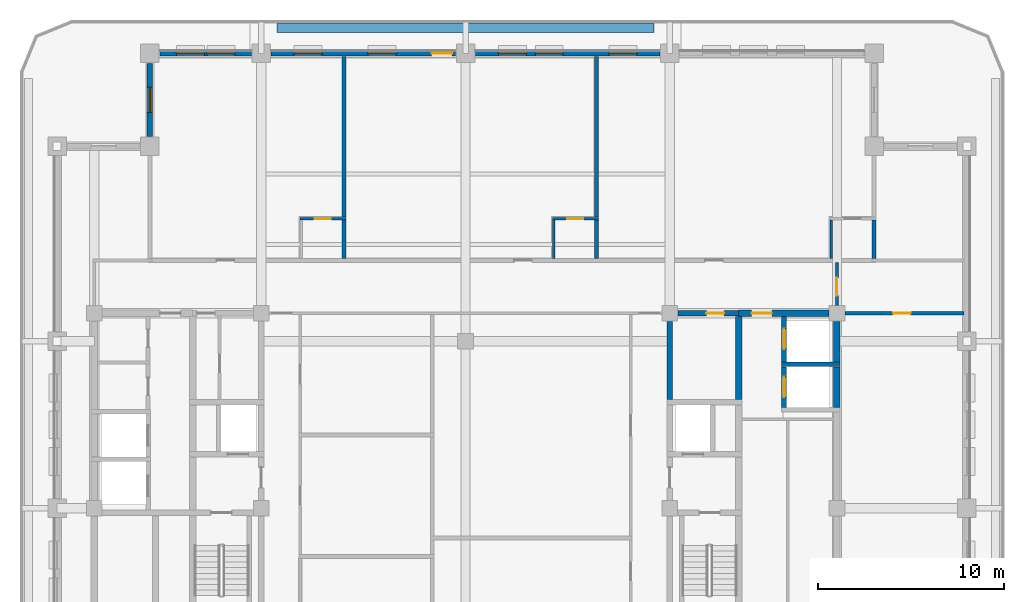
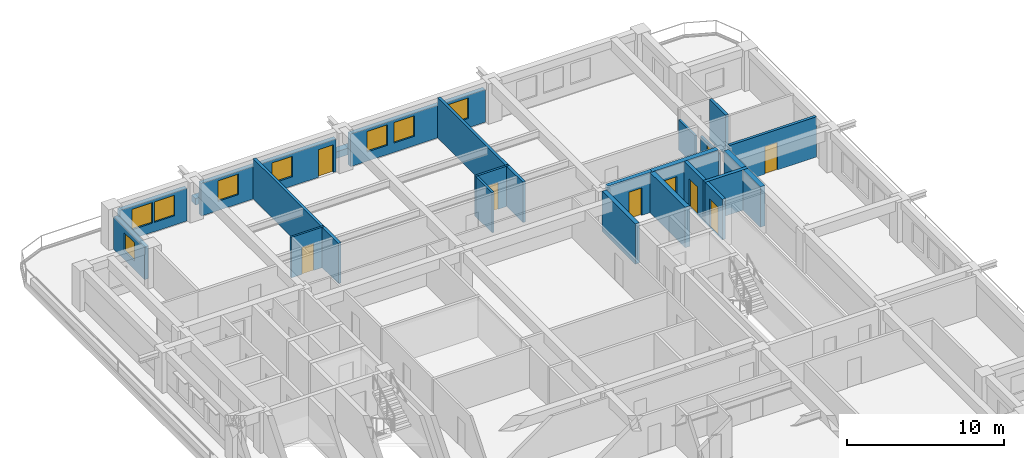
# One storey, part 6 of 13: 25 walls, 9 doors, 8 windows, 17 openings.
"""IFC4 building model written with IfcOpenShell, lengths in metres."""

from ifc_helpers import new_model, si_unit, direction, frame, frame_2d, origin, place, context, subcontext, project, spatial, rectangle, extrude, material, layer, layer_set, type_object, element, fill, save


model = new_model("IFC4")

# Units and contexts
model_context = context("Model", 3, precision=1e-05, world=origin(), true_north=direction((0.0, 1.0)))
body_context = subcontext(model_context, "Body", "Model", "MODEL_VIEW")
ifc_project = project(units=[si_unit("LENGTHUNIT", "METRE"), si_unit("AREAUNIT", "SQUARE_METRE"), si_unit("VOLUMEUNIT", "CUBIC_METRE"), si_unit("PLANEANGLEUNIT", "RADIAN"), si_unit("MASSUNIT", "GRAM", prefix="KILO")], contexts=[model_context])

# Site, building, storey
site_placement = place(None, origin())
site = spatial("IfcSite", under=ifc_project, at=site_placement, CompositionType="ELEMENT")
building_placement = place(site_placement, origin())
building = spatial("IfcBuilding", under=site, at=building_placement, Name="Zulmaris Gate Convention Tower", CompositionType="ELEMENT")
storey_placement = place(building_placement, frame((0.0, 0.0, 169.4599609375)))
storey = spatial("IfcBuildingStorey", under=building, at=storey_placement, Name="L43", CompositionType="ELEMENT", Elevation=169.4599609375)

# Wall
ifc_material_1 = material(Name="Concrete C50/60", Category="concrete")
ifc_layer_1 = layer(ifc_material_1, 0.25, Name="Concrete C50/60")
ifc_layer_set_1 = layer_set([ifc_layer_1], Name="Concrete C50/60")
wall_type_1 = type_object("IfcWallType", Name="CORE-250", PredefinedType="SOLIDWALL", material=ifc_layer_set_1)
wall_1_placement = place(storey_placement, frame((17.02490234375, 7.75, 0.0), z_axis=(0.0, 0.0, 1.0), x_axis=(1.0, 0.0, 0.0)))
element("IfcWall", 1, at=wall_1_placement, inside=storey, type_object=wall_type_1, Name="WL-L43-014", PredefinedType="SOLIDWALL", context=body_context, shape_type="SweptSolid", body=[
    extrude(rectangle(XDim=3.150146484375, YDim=0.25, at=frame_2d((1.5751953125, 0.0))), origin(), (0.0, 0.0, 1.0), 3.14990234375),
])

# Wall, opening, door
wall_2_placement = place(storey_placement, frame((17.14990234375, 5.427001953125, 0.0), z_axis=(0.0, 0.0, 1.0), x_axis=(0.0, 1.0, 0.0)))
wall_2 = element("IfcWall", 2, at=wall_2_placement, inside=storey, type_object=wall_type_1, Name="WL-L43-067", PredefinedType="SOLIDWALL", context=body_context, shape_type="SweptSolid", body=[
    extrude(rectangle(XDim=2.196044921875, YDim=0.25, at=frame_2d((1.09814453125, 0.0))), origin(), (0.0, 0.0, 1.0), 3.14990234375),
])
opening_1_placement = place(wall_2_placement, frame((0.548095703125, 0.0, 0.0)))
opening_1 = element("IfcOpeningElement", 3, at=opening_1_placement, cuts=wall_2, Name="Opening D-06", PredefinedType="OPENING", context=body_context, shape_type="SweptSolid", body=[
    extrude(rectangle(XDim=1.10009765625, YDim=2.199951171875, at=frame_2d((0.550048828125, 1.10009765625))), frame((0.0, 0.135009765625, 0.0), z_axis=(0.0, -1.0, 0.0), x_axis=(1.0, 0.0, 0.0)), (0.0, 0.0, 1.0), 0.27001953125),
])
ifc_material_2 = material(Name="Brushed Stainless Steel", Category="steel")
door_type_1 = type_object("IfcDoorType", Name="LD-1100", OperationType="NOTDEFINED", PredefinedType="DOOR", material=ifc_material_2)
door_1_placement = place(opening_1_placement, origin())
door_1 = element("IfcDoor", 4, at=door_1_placement, inside=storey, type_object=door_type_1, Name="L43 Lift Landing Door HP-01 16", OperationType="SLIDING_TO_RIGHT", OverallHeight=2.199951171875, OverallWidth=1.10009765625, PredefinedType="DOOR", context=body_context, shape_type="SweptSolid", body=[
    extrude(rectangle(XDim=1.10009765625, YDim=2.199951171875, at=frame_2d((0.550048828125, 1.10009765625))), frame((0.0, 0.02490234375, 0.0), z_axis=(0.0, -1.0, 0.0), x_axis=(1.0, 0.0, 0.0)), (0.0, 0.0, 1.0), 0.050048828125),
])
fill(opening_1, door_1)

wall_3_placement = place(storey_placement, frame((17.14990234375, 7.876953125, 0.0), z_axis=(0.0, 0.0, 1.0), x_axis=(0.0, 1.0, 0.0)))
wall_3 = element("IfcWall", 5, at=wall_3_placement, inside=storey, type_object=wall_type_1, Name="WL-L43-068", PredefinedType="SOLIDWALL", context=body_context, shape_type="SweptSolid", body=[
    extrude(rectangle(XDim=2.446044921875, YDim=0.25, at=frame_2d((1.22314453125, 0.0))), origin(), (0.0, 0.0, 1.0), 3.14990234375),
])
opening_2_placement = place(wall_3_placement, frame((0.697998046875, 0.0, 0.0)))
opening_2 = element("IfcOpeningElement", 6, at=opening_2_placement, cuts=wall_3, Name="Opening D-06", PredefinedType="OPENING", context=body_context, shape_type="SweptSolid", body=[
    extrude(rectangle(XDim=1.10009765625, YDim=2.199951171875, at=frame_2d((0.550048828125, 1.10009765625))), frame((0.0, 0.135009765625, 0.0), z_axis=(0.0, -1.0, 0.0), x_axis=(1.0, 0.0, 0.0)), (0.0, 0.0, 1.0), 0.27001953125),
])
door_2_placement = place(opening_2_placement, origin())
door_2 = element("IfcDoor", 7, at=door_2_placement, inside=storey, type_object=door_type_1, Name="L43 Lift Landing Door HP-02 17", OperationType="SLIDING_TO_RIGHT", OverallHeight=2.199951171875, OverallWidth=1.10009765625, PredefinedType="DOOR", context=body_context, shape_type="SweptSolid", body=[
    extrude(rectangle(XDim=1.10009765625, YDim=2.199951171875, at=frame_2d((0.550048828125, 1.10009765625))), frame((0.0, 0.02490234375, 0.0), z_axis=(0.0, -1.0, 0.0), x_axis=(1.0, 0.0, 0.0)), (0.0, 0.0, 1.0), 0.050048828125),
])
fill(opening_2, door_2)

ifc_layer_2 = layer(ifc_material_1, 0.300048828125, Name="Concrete C50/60")
ifc_layer_set_2 = layer_set([ifc_layer_2], Name="Concrete C50/60")
wall_type_2 = type_object("IfcWallType", Name="CORE-300", PredefinedType="SHEAR", material=ifc_layer_set_2)
wall_4_placement = place(storey_placement, frame((11.428955078125, 10.5, 0.0), z_axis=(0.0, 0.0, 1.0), x_axis=(1.0, 0.0, 0.0)))
wall_4 = element("IfcWall", 8, at=wall_4_placement, inside=storey, type_object=wall_type_2, Name="WL-L43-017", PredefinedType="SHEAR", context=body_context, shape_type="SweptSolid", body=[
    extrude(rectangle(XDim=3.27099609375, YDim=0.300048828125, at=frame_2d((1.635498046875, 0.0))), origin(), (0.0, 0.0, 1.0), 3.14990234375),
])
opening_3_placement = place(wall_4_placement, frame((1.5458984375, 0.0, 0.0)))
opening_3 = element("IfcOpeningElement", 9, at=opening_3_placement, cuts=wall_4, Name="Opening D-11", PredefinedType="OPENING", context=body_context, shape_type="SweptSolid", body=[
    extrude(rectangle(XDim=0.949951171875, YDim=2.14990234375, at=frame_2d((0.47509765625, 1.074951171875))), frame((0.0, 0.16015625, 0.0), z_axis=(0.0, -1.0, 0.0), x_axis=(1.0, 0.0, 0.0)), (0.0, 0.0, 1.0), 0.320068359375),
])
ifc_material_3 = material(Name="Fire-Rated Timber", Category="wood")
door_type_2 = type_object("IfcDoorType", Name="DR-950-FD", OperationType="NOTDEFINED", PredefinedType="DOOR", material=ifc_material_3)
door_3_placement = place(opening_3_placement, origin())
door_3 = element("IfcDoor", 10, at=door_3_placement, inside=storey, type_object=door_type_2, Name="L43 Core Tea Pantry Door 09", OperationType="SINGLE_SWING_RIGHT", OverallHeight=2.14990234375, OverallWidth=0.949951171875, PredefinedType="DOOR", context=body_context, shape_type="SweptSolid", body=[
    extrude(rectangle(XDim=0.949951171875, YDim=2.14990234375, at=frame_2d((0.47509765625, 1.074951171875))), frame((0.0, 0.02490234375, 0.0), z_axis=(0.0, -1.0, 0.0), x_axis=(1.0, 0.0, 0.0)), (0.0, 0.0, 1.0), 0.050048828125),
])
fill(opening_3, door_3)

# Wall
wall_5_placement = place(storey_placement, frame((11.0, 5.85205078125, 0.0), z_axis=(0.0, 0.0, 1.0), x_axis=(0.0, 1.0, 0.0)))
element("IfcWall", 11, at=wall_5_placement, inside=storey, type_object=wall_type_2, Name="WL-L43-060", PredefinedType="SHEAR", context=body_context, shape_type="SweptSolid", body=[
    extrude(rectangle(XDim=4.218994140625, YDim=0.300048828125, at=frame_2d((2.109375, 0.0))), origin(), (0.0, 0.0, 1.0), 3.14990234375),
])

# Wall, opening, door
ifc_material_4 = material(Name="Concrete C55/67", Category="concrete")
ifc_layer_3 = layer(ifc_material_4, 0.35009765625, Name="Concrete C55/67")
ifc_layer_set_3 = layer_set([ifc_layer_3], Name="Concrete C55/67")
wall_type_3 = type_object("IfcWallType", Name="CORE-350", PredefinedType="SHEAR", material=ifc_layer_set_3)
wall_6_placement = place(storey_placement, frame((14.699951171875, 10.5, 0.0), z_axis=(0.0, 0.0, 1.0), x_axis=(1.0, 0.0, 0.0)))
wall_6 = element("IfcWall", 12, at=wall_6_placement, inside=storey, type_object=wall_type_3, Name="WL-L43-018", PredefinedType="SHEAR", context=body_context, shape_type="SweptSolid", body=[
    extrude(rectangle(XDim=4.87109375, YDim=0.35009765625, at=frame_2d((2.435546875, 0.0))), origin(), (0.0, 0.0, 1.0), 3.14990234375),
])
opening_4_placement = place(wall_6_placement, frame((0.699951171875, 0.0, 0.0)))
opening_4 = element("IfcOpeningElement", 13, at=opening_4_placement, cuts=wall_6, Name="Opening D-08", PredefinedType="OPENING", context=body_context, shape_type="SweptSolid", body=[
    extrude(rectangle(XDim=1.10009765625, YDim=2.14990234375, at=frame_2d((0.550048828125, 1.074951171875))), frame((0.0, 0.18505859375, 0.0), z_axis=(0.0, -1.0, 0.0), x_axis=(1.0, 0.0, 0.0)), (0.0, 0.0, 1.0), 0.3701171875),
])
ifc_material_5 = material(Name="Fire-Rated Steel", Category="steel")
door_type_3 = type_object("IfcDoorType", Name="DR-1100-FD", OperationType="NOTDEFINED", PredefinedType="DOOR", material=ifc_material_5)
door_4_placement = place(opening_4_placement, origin())
door_4 = element("IfcDoor", 14, at=door_4_placement, inside=storey, type_object=door_type_3, Name="L43 High-Rise East Lift Lobby Door 18", OperationType="SINGLE_SWING_LEFT", OverallHeight=2.14990234375, OverallWidth=1.10009765625, PredefinedType="DOOR", context=body_context, shape_type="SweptSolid", body=[
    extrude(rectangle(XDim=1.10009765625, YDim=2.14990234375, at=frame_2d((0.550048828125, 1.074951171875))), frame((0.0, 0.02490234375, 0.0), z_axis=(0.0, -1.0, 0.0), x_axis=(1.0, 0.0, 0.0)), (0.0, 0.0, 1.0), 0.050048828125),
])
fill(opening_4, door_4)

# Walls
wall_7_placement = place(storey_placement, frame((14.699951171875, 5.85205078125, 0.0), z_axis=(0.0, 0.0, 1.0), x_axis=(0.0, 1.0, 0.0)))
element("IfcWall", 15, at=wall_7_placement, inside=storey, type_object=wall_type_3, Name="WL-L43-066", PredefinedType="SHEAR", context=body_context, shape_type="SweptSolid", body=[
    extrude(rectangle(XDim=4.470947265625, YDim=0.35009765625, at=frame_2d((2.2353515625, 0.0))), origin(), (0.0, 0.0, 1.0), 3.14990234375),
])
wall_8_placement = place(storey_placement, frame((20.0, 5.427001953125, 0.0), z_axis=(0.0, 0.0, 1.0), x_axis=(0.0, 1.0, 0.0)))
element("IfcWall", 16, at=wall_8_placement, inside=storey, type_object=wall_type_3, Name="WL-L43-070", PredefinedType="SHEAR", context=body_context, shape_type="SweptSolid", body=[
    extrude(rectangle(XDim=2.196044921875, YDim=0.35009765625, at=frame_2d((1.09814453125, 0.0))), origin(), (0.0, 0.0, 1.0), 3.14990234375),
])
wall_9_placement = place(storey_placement, frame((20.0, 7.876953125, 0.0), z_axis=(0.0, 0.0, 1.0), x_axis=(0.0, 1.0, 0.0)))
element("IfcWall", 17, at=wall_9_placement, inside=storey, type_object=wall_type_3, Name="WL-L43-071", PredefinedType="SHEAR", context=body_context, shape_type="SweptSolid", body=[
    extrude(rectangle(XDim=2.194091796875, YDim=0.35009765625, at=frame_2d((1.09716796875, 0.0))), origin(), (0.0, 0.0, 1.0), 3.14990234375),
])

# Wall, opening, door
ifc_material_6 = material(Name="Gypsum Metal Stud Partition")
ifc_layer_4 = layer(ifc_material_6, 0.14990234375, Name="Gypsum Metal Stud Partition")
ifc_layer_set_4 = layer_set([ifc_layer_4], Name="Gypsum Metal Stud Partition")
wall_type_4 = type_object("IfcWallType", Name="PART-150", PredefinedType="PARTITIONING", material=ifc_layer_set_4)
wall_10_placement = place(storey_placement, frame((-8.925048828125, 15.60009765625, 0.0), z_axis=(0.0, 0.0, 1.0), x_axis=(1.0, 0.0, 0.0)))
wall_10 = element("IfcWall", 18, at=wall_10_placement, inside=storey, type_object=wall_type_4, Name="WL-L43-037", PredefinedType="PARTITIONING", context=body_context, shape_type="SweptSolid", body=[
    extrude(rectangle(XDim=2.47509765625, YDim=0.14990234375, at=frame_2d((1.237548828125, 0.0))), origin(), (0.0, 0.0, 1.0), 3.14990234375),
])
opening_5_placement = place(wall_10_placement, frame((0.800048828125, 0.0, 0.0)))
opening_5 = element("IfcOpeningElement", 19, at=opening_5_placement, cuts=wall_10, Name="Opening D-17", PredefinedType="OPENING", context=body_context, shape_type="SweptSolid", body=[
    extrude(rectangle(XDim=0.85009765625, YDim=2.10009765625, at=frame_2d((0.425048828125, 1.050048828125))), frame((0.0, 0.0849609375, 0.0), z_axis=(0.0, -1.0, 0.0), x_axis=(1.0, 0.0, 0.0)), (0.0, 0.0, 1.0), 0.169921875),
])
ifc_material_7 = material(Name="Moisture-Resistant Hardwood Timber", Category="wood")
door_type_4 = type_object("IfcDoorType", Name="DR-850", OperationType="NOTDEFINED", PredefinedType="DOOR", material=ifc_material_7)
door_5_placement = place(opening_5_placement, origin())
door_5 = element("IfcDoor", 20, at=door_5_placement, inside=storey, type_object=door_type_4, Name="L43 En-Suite Door 26", OperationType="SINGLE_SWING_LEFT", OverallHeight=2.10009765625, OverallWidth=0.85009765625, PredefinedType="DOOR", context=body_context, shape_type="SweptSolid", body=[
    extrude(rectangle(XDim=0.85009765625, YDim=2.10009765625, at=frame_2d((0.425048828125, 1.050048828125))), frame((0.0, 0.02490234375, 0.0), z_axis=(0.0, -1.0, 0.0), x_axis=(1.0, 0.0, 0.0)), (0.0, 0.0, 1.0), 0.050048828125),
])
fill(opening_5, door_5)

wall_11_placement = place(storey_placement, frame((4.675048828125, 15.60009765625, 0.0), z_axis=(0.0, 0.0, 1.0), x_axis=(1.0, 0.0, 0.0)))
wall_11 = element("IfcWall", 21, at=wall_11_placement, inside=storey, type_object=wall_type_4, Name="WL-L43-038", PredefinedType="PARTITIONING", context=body_context, shape_type="SweptSolid", body=[
    extrude(rectangle(XDim=2.474853515625, YDim=0.14990234375, at=frame_2d((1.2373046875, 0.0))), origin(), (0.0, 0.0, 1.0), 3.14990234375),
])
opening_6_placement = place(wall_11_placement, frame((0.800048828125, 0.0, 0.0)))
opening_6 = element("IfcOpeningElement", 22, at=opening_6_placement, cuts=wall_11, Name="Opening D-17", PredefinedType="OPENING", context=body_context, shape_type="SweptSolid", body=[
    extrude(rectangle(XDim=0.85009765625, YDim=2.10009765625, at=frame_2d((0.425048828125, 1.050048828125))), frame((0.0, 0.0849609375, 0.0), z_axis=(0.0, -1.0, 0.0), x_axis=(1.0, 0.0, 0.0)), (0.0, 0.0, 1.0), 0.169921875),
])
door_6_placement = place(opening_6_placement, origin())
door_6 = element("IfcDoor", 23, at=door_6_placement, inside=storey, type_object=door_type_4, Name="L43 En-Suite Door 28", OperationType="SINGLE_SWING_LEFT", OverallHeight=2.10009765625, OverallWidth=0.85009765625, PredefinedType="DOOR", context=body_context, shape_type="SweptSolid", body=[
    extrude(rectangle(XDim=0.85009765625, YDim=2.10009765625, at=frame_2d((0.425048828125, 1.050048828125))), frame((0.0, 0.02490234375, 0.0), z_axis=(0.0, -1.0, 0.0), x_axis=(1.0, 0.0, 0.0)), (0.0, 0.0, 1.0), 0.050048828125),
])
fill(opening_6, door_6)

# Walls
wall_12_placement = place(storey_placement, frame((4.75, 13.452880859375, 0.0), z_axis=(0.0, 0.0, 1.0), x_axis=(0.0, 1.0, 0.0)))
element("IfcWall", 24, at=wall_12_placement, inside=storey, type_object=wall_type_4, Name="WL-L43-097", PredefinedType="PARTITIONING", context=body_context, shape_type="SweptSolid", body=[
    extrude(rectangle(XDim=2.069091796875, YDim=0.14990234375, at=frame_2d((1.03466796875, 0.0))), origin(), (0.0, 0.0, 1.0), 3.14990234375),
])
wall_13_placement = place(storey_placement, frame((19.699951171875, 13.452880859375, 0.0), z_axis=(0.0, 0.0, 1.0), x_axis=(0.0, 1.0, 0.0)))
element("IfcWall", 25, at=wall_13_placement, inside=storey, type_object=wall_type_4, Name="WL-L43-107", PredefinedType="PARTITIONING", context=body_context, shape_type="SweptSolid", body=[
    extrude(rectangle(XDim=2.069091796875, YDim=0.14990234375, at=frame_2d((1.03466796875, 0.0))), origin(), (0.0, 0.0, 1.0), 2.342041015625),
])

# Wall, opening, door
wall_14_placement = place(storey_placement, frame((20.0, 10.930908203125, 0.0), z_axis=(0.0, 0.0, 1.0), x_axis=(0.0, 1.0, 0.0)))
wall_14 = element("IfcWall", 26, at=wall_14_placement, inside=storey, type_object=wall_type_4, Name="WL-L43-109", PredefinedType="PARTITIONING", context=body_context, shape_type="SweptSolid", body=[
    extrude(rectangle(XDim=2.316162109375, YDim=0.14990234375, at=frame_2d((1.158203125, 0.0))), origin(), (0.0, 0.0, 1.0), 2.342041015625),
])
opening_7_placement = place(wall_14_placement, frame((0.52392578125, 0.0, 0.0)))
opening_7 = element("IfcOpeningElement", 27, at=opening_7_placement, cuts=wall_14, Name="Opening D-11", PredefinedType="OPENING", context=body_context, shape_type="SweptSolid", body=[
    extrude(rectangle(XDim=0.949951171875, YDim=2.14990234375, at=frame_2d((0.47509765625, 1.074951171875))), frame((0.0, 0.0849609375, 0.0), z_axis=(0.0, -1.0, 0.0), x_axis=(1.0, 0.0, 0.0)), (0.0, 0.0, 1.0), 0.169921875),
])
door_7_placement = place(opening_7_placement, origin())
door_7 = element("IfcDoor", 28, at=door_7_placement, inside=storey, type_object=door_type_2, Name="L43 East Spur Door 45", OperationType="SINGLE_SWING_RIGHT", OverallHeight=2.14990234375, OverallWidth=0.949951171875, PredefinedType="DOOR", context=body_context, shape_type="SweptSolid", body=[
    extrude(rectangle(XDim=0.949951171875, YDim=2.14990234375, at=frame_2d((0.47509765625, 1.074951171875))), frame((0.0, 0.02490234375, 0.0), z_axis=(0.0, -1.0, 0.0), x_axis=(1.0, 0.0, 0.0)), (0.0, 0.0, 1.0), 0.050048828125),
])
fill(opening_7, door_7)

ifc_material_8 = material(Name="Autoclaved Aerated Concrete Block and Plasterboard", Category="concrete")
ifc_layer_5 = layer(ifc_material_8, 0.199951171875, Name="Autoclaved Aerated Concrete Block and Plasterboard")
ifc_layer_set_5 = layer_set([ifc_layer_5], Name="Autoclaved Aerated Concrete Block and Plasterboard")
wall_type_5 = type_object("IfcWallType", Name="PART-200", PredefinedType="PARTITIONING", material=ifc_layer_set_5)
wall_15_placement = place(storey_placement, frame((20.430908203125, 10.5, 0.0), z_axis=(0.0, 0.0, 1.0), x_axis=(1.0, 0.0, 0.0)))
wall_15 = element("IfcWall", 29, at=wall_15_placement, inside=storey, type_object=wall_type_5, Name="WL-L43-033", PredefinedType="PARTITIONING", context=body_context, shape_type="SweptSolid", body=[
    extrude(rectangle(XDim=6.404052734375, YDim=0.199951171875, at=frame_2d((3.2021484375, 0.0))), origin(), (0.0, 0.0, 1.0), 3.14990234375),
])
opening_8_placement = place(wall_15_placement, frame((2.593994140625, 0.0, 0.0)))
opening_8 = element("IfcOpeningElement", 30, at=opening_8_placement, cuts=wall_15, Name="Opening D-11", PredefinedType="OPENING", context=body_context, shape_type="SweptSolid", body=[
    extrude(rectangle(XDim=0.949951171875, YDim=2.14990234375, at=frame_2d((0.47509765625, 1.074951171875))), frame((0.0, 0.10986328125, 0.0), z_axis=(0.0, -1.0, 0.0), x_axis=(1.0, 0.0, 0.0)), (0.0, 0.0, 1.0), 0.219970703125),
])
door_8_placement = place(opening_8_placement, origin())
door_8 = element("IfcDoor", 31, at=door_8_placement, inside=storey, type_object=door_type_2, Name="L43 East Lounge Door 46", OperationType="SINGLE_SWING_LEFT", OverallHeight=2.14990234375, OverallWidth=0.949951171875, PredefinedType="DOOR", context=body_context, shape_type="SweptSolid", body=[
    extrude(rectangle(XDim=0.949951171875, YDim=2.14990234375, at=frame_2d((0.47509765625, 1.074951171875))), frame((0.0, 0.02490234375, 0.0), z_axis=(0.0, -1.0, 0.0), x_axis=(1.0, 0.0, 0.0)), (0.0, 0.0, 1.0), 0.050048828125),
])
fill(opening_8, door_8)

# Walls
wall_16_placement = place(storey_placement, frame((-6.550048828125, 13.452880859375, 0.0), z_axis=(0.0, 0.0, 1.0), x_axis=(0.0, 1.0, 0.0)))
element("IfcWall", 32, at=wall_16_placement, inside=storey, type_object=wall_type_5, Name="WL-L43-087", PredefinedType="PARTITIONING", context=body_context, shape_type="SweptSolid", body=[
    extrude(rectangle(XDim=2.069091796875, YDim=0.199951171875, at=frame_2d((1.03466796875, 0.0))), origin(), (0.0, 0.0, 1.0), 3.14990234375),
])
wall_17_placement = place(storey_placement, frame((-6.550048828125, 15.677978515625, 0.0), z_axis=(0.0, 0.0, 1.0), x_axis=(0.0, 1.0, 0.0)))
element("IfcWall", 33, at=wall_17_placement, inside=storey, type_object=wall_type_5, Name="WL-L43-088", PredefinedType="PARTITIONING", context=body_context, shape_type="SweptSolid", body=[
    extrude(rectangle(XDim=8.656982421875, YDim=0.199951171875, at=frame_2d((4.32861328125, 0.0))), origin(), (0.0, 0.0, 1.0), 3.14990234375),
])
wall_18_placement = place(storey_placement, frame((7.050048828125, 13.452880859375, 0.0), z_axis=(0.0, 0.0, 1.0), x_axis=(0.0, 1.0, 0.0)))
element("IfcWall", 34, at=wall_18_placement, inside=storey, type_object=wall_type_5, Name="WL-L43-100", PredefinedType="PARTITIONING", context=body_context, shape_type="SweptSolid", body=[
    extrude(rectangle(XDim=2.069091796875, YDim=0.199951171875, at=frame_2d((1.03466796875, 0.0))), origin(), (0.0, 0.0, 1.0), 3.14990234375),
])
wall_19_placement = place(storey_placement, frame((7.050048828125, 15.677978515625, 0.0), z_axis=(0.0, 0.0, 1.0), x_axis=(0.0, 1.0, 0.0)))
element("IfcWall", 35, at=wall_19_placement, inside=storey, type_object=wall_type_5, Name="WL-L43-101", PredefinedType="PARTITIONING", context=body_context, shape_type="SweptSolid", body=[
    extrude(rectangle(XDim=8.656982421875, YDim=0.199951171875, at=frame_2d((4.32861328125, 0.0))), origin(), (0.0, 0.0, 1.0), 3.14990234375),
])
wall_20_placement = place(storey_placement, frame((22.0, 13.452880859375, 0.0), z_axis=(0.0, 0.0, 1.0), x_axis=(0.0, 1.0, 0.0)))
element("IfcWall", 36, at=wall_20_placement, inside=storey, type_object=wall_type_5, Name="WL-L43-111", PredefinedType="PARTITIONING", context=body_context, shape_type="SweptSolid", body=[
    extrude(rectangle(XDim=2.069091796875, YDim=0.199951171875, at=frame_2d((1.03466796875, 0.0))), origin(), (0.0, 0.0, 1.0), 3.14990234375),
])
ifc_material_9 = material(Name="Botanical Green Glazed Precast Concrete C40/50", Category="concrete")
ifc_layer_6 = layer(ifc_material_9, 0.419921875, Name="Botanical Green Glazed Precast Concrete C40/50")
ifc_layer_set_6 = layer_set([ifc_layer_6], Name="Botanical Green Glazed Precast Concrete C40/50")
wall_type_6 = type_object("IfcWallType", Name="PLANTER-CURB-200", PredefinedType="PARAPET", material=ifc_layer_set_6)
wall_21_placement = place(storey_placement, frame((-10.14990234375, 25.8798828125, -0.0400390625), z_axis=(0.0, 0.0, 1.0), x_axis=(1.0, 0.0, 0.0)))
element("IfcWall", 37, at=wall_21_placement, inside=storey, type_object=wall_type_6, Name="L43 Full-Length Balcony Tree Planter Trough", PredefinedType="PARAPET", context=body_context, shape_type="SweptSolid", body=[
    extrude(rectangle(XDim=20.2998046875, YDim=0.47998046875, at=frame_2d((10.14990234375, 0.0))), origin(), (0.0, 0.0, 1.0), 0.52001953125),
])

# Wall, opening, window
ifc_material_10 = material(Name="Precast concrete C40/50", Category="concrete")
ifc_layer_7 = layer(ifc_material_10, 0.300048828125, Name="Precast concrete C40/50")
ifc_layer_set_7 = layer_set([ifc_layer_7], Name="Precast concrete C40/50")
wall_type_7 = type_object("IfcWallType", Name="PRECAST-PIER-300", PredefinedType="STANDARD", material=ifc_layer_set_7)
wall_22_placement = place(storey_placement, frame((-17.0, 23.969970703125, 0.0), z_axis=(0.0, 0.0, 1.0), x_axis=(0.0, -1.0, 0.0)))
wall_22 = element("IfcWall", 38, at=wall_22_placement, inside=storey, type_object=wall_type_7, Name="EW-L43-NOTCH-NW1_0", PredefinedType="STANDARD", context=body_context, shape_type="SweptSolid", body=[
    extrude(rectangle(XDim=3.93994140625, YDim=0.300048828125, at=frame_2d((1.969970703125, 0.0))), origin(), (0.0, 0.0, 1.0), 2.5419921875),
])
opening_9_placement = place(wall_22_placement, frame((1.294921875, 0.0, 0.679931640625)))
opening_9 = element("IfcOpeningElement", 39, at=opening_9_placement, cuts=wall_22, Name="Opening W-10", PredefinedType="OPENING", context=body_context, shape_type="SweptSolid", body=[
    extrude(rectangle(XDim=1.35009765625, YDim=1.419921875, at=frame_2d((0.675048828125, 0.7099609375))), frame((0.0, 0.16015625, 0.0), z_axis=(0.0, -1.0, 0.0), x_axis=(1.0, 0.0, 0.0)), (0.0, 0.0, 1.0), 0.320068359375),
])
ifc_material_11 = material(Name="Low-E Laminated Double Glazing in Aluminium Frame", Category="aluminium")
window_type_1 = type_object("IfcWindowType", Name="WIN-1350x2000", PartitioningType="SINGLE_PANEL", PredefinedType="WINDOW", material=ifc_material_11)
window_1_placement = place(opening_9_placement, origin())
window_1 = element("IfcWindow", 40, at=window_1_placement, inside=storey, type_object=window_type_1, Name="WN-EW-L43-NOTCH-NW1_0", OverallHeight=1.419921875, OverallWidth=1.35009765625, PartitioningType="SINGLE_PANEL", PredefinedType="WINDOW", context=body_context, shape_type="SweptSolid", body=[
    extrude(rectangle(XDim=1.35009765625, YDim=1.419921875, at=frame_2d((0.675048828125, 0.7099609375))), frame((0.0, 0.030029296875, 0.0), z_axis=(0.0, -1.0, 0.0), x_axis=(1.0, 0.0, 0.0)), (0.0, 0.0, 1.0), 0.06005859375),
])
fill(opening_9, window_1)

# Wall, openings, windows
wall_23_placement = place(storey_placement, frame((-11.530029296875, 24.5, 0.0), z_axis=(0.0, 0.0, 1.0), x_axis=(-1.0, 0.0, 0.0)))
wall_23 = element("IfcWall", 41, at=wall_23_placement, inside=storey, type_object=wall_type_7, Name="EW-L43-N-0_0", PredefinedType="STANDARD", context=body_context, shape_type="SweptSolid", body=[
    extrude(rectangle(XDim=4.93994140625, YDim=0.300048828125, at=frame_2d((2.469970703125, 0.0))), origin(), (0.0, 0.0, 1.0), 2.5419921875),
])
opening_10_placement = place(wall_23_placement, frame((0.89697265625, 0.0, 0.719970703125)))
opening_10 = element("IfcOpeningElement", 42, at=opening_10_placement, cuts=wall_23, Name="Opening W-03", PredefinedType="OPENING", context=body_context, shape_type="SweptSolid", body=[
    extrude(rectangle(XDim=1.5, YDim=1.60009765625, at=frame_2d((0.75, 0.800048828125))), frame((0.0, 0.16015625, 0.0), z_axis=(0.0, -1.0, 0.0), x_axis=(1.0, 0.0, 0.0)), (0.0, 0.0, 1.0), 0.320068359375),
])
opening_11_placement = place(wall_23_placement, frame((2.54296875, 0.0, 0.719970703125)))
opening_11 = element("IfcOpeningElement", 43, at=opening_11_placement, cuts=wall_23, Name="Opening W-03", PredefinedType="OPENING", context=body_context, shape_type="SweptSolid", body=[
    extrude(rectangle(XDim=1.5, YDim=1.60009765625, at=frame_2d((0.75, 0.800048828125))), frame((0.0, 0.16015625, 0.0), z_axis=(0.0, -1.0, 0.0), x_axis=(1.0, 0.0, 0.0)), (0.0, 0.0, 1.0), 0.320068359375),
])
window_type_2 = type_object("IfcWindowType", Name="WIN-1500x2100", PartitioningType="SINGLE_PANEL", PredefinedType="WINDOW", material=ifc_material_11)
window_2_placement = place(opening_10_placement, origin())
window_2 = element("IfcWindow", 44, at=window_2_placement, inside=storey, type_object=window_type_2, Name="WN-EW-L43-N-0_0-1", OverallHeight=1.60009765625, OverallWidth=1.5, PartitioningType="SINGLE_PANEL", PredefinedType="WINDOW", context=body_context, shape_type="SweptSolid", body=[
    extrude(rectangle(XDim=1.5, YDim=1.60009765625, at=frame_2d((0.75, 0.800048828125))), frame((0.0, 0.030029296875, 0.0), z_axis=(0.0, -1.0, 0.0), x_axis=(1.0, 0.0, 0.0)), (0.0, 0.0, 1.0), 0.06005859375),
])
fill(opening_10, window_2)
window_3_placement = place(opening_11_placement, origin())
window_3 = element("IfcWindow", 45, at=window_3_placement, inside=storey, type_object=window_type_2, Name="WN-EW-L43-N-0_0-2", OverallHeight=1.60009765625, OverallWidth=1.5, PartitioningType="SINGLE_PANEL", PredefinedType="WINDOW", context=body_context, shape_type="SweptSolid", body=[
    extrude(rectangle(XDim=1.5, YDim=1.60009765625, at=frame_2d((0.75, 0.800048828125))), frame((0.0, 0.030029296875, 0.0), z_axis=(0.0, -1.0, 0.0), x_axis=(1.0, 0.0, 0.0)), (0.0, 0.0, 1.0), 0.06005859375),
])
fill(opening_11, window_3)

# Wall, openings, door, windows
wall_24_placement = place(storey_placement, frame((-0.530029296875, 24.5, 0.0), z_axis=(0.0, 0.0, 1.0), x_axis=(-1.0, 0.0, 0.0)))
wall_24 = element("IfcWall", 46, at=wall_24_placement, inside=storey, type_object=wall_type_7, Name="EW-L43-N-1_0", PredefinedType="STANDARD", context=body_context, shape_type="SweptSolid", body=[
    extrude(rectangle(XDim=9.93994140625, YDim=0.300048828125, at=frame_2d((4.969970703125, 0.0))), origin(), (0.0, 0.0, 1.0), 2.5419921875),
])
opening_12_placement = place(wall_24_placement, frame((0.199951171875, 0.0, 0.0)))
opening_12 = element("IfcOpeningElement", 47, at=opening_12_placement, cuts=wall_24, Name="Opening D-04", PredefinedType="OPENING", context=body_context, shape_type="SweptSolid", body=[
    extrude(rectangle(XDim=1.10009765625, YDim=2.14990234375, at=frame_2d((0.550048828125, 1.074951171875))), frame((0.0, 0.16015625, 0.0), z_axis=(0.0, -1.0, 0.0), x_axis=(1.0, 0.0, 0.0)), (0.0, 0.0, 1.0), 0.320068359375),
])
opening_13_placement = place(wall_24_placement, frame((3.22607421875, 0.0, 0.719970703125)))
opening_13 = element("IfcOpeningElement", 48, at=opening_13_placement, cuts=wall_24, Name="Opening W-03", PredefinedType="OPENING", context=body_context, shape_type="SweptSolid", body=[
    extrude(rectangle(XDim=1.5, YDim=1.60009765625, at=frame_2d((0.75, 0.800048828125))), frame((0.0, 0.16015625, 0.0), z_axis=(0.0, -1.0, 0.0), x_axis=(1.0, 0.0, 0.0)), (0.0, 0.0, 1.0), 0.320068359375),
])
opening_14_placement = place(wall_24_placement, frame((7.201904296875, 0.0, 0.719970703125)))
opening_14 = element("IfcOpeningElement", 49, at=opening_14_placement, cuts=wall_24, Name="Opening W-03", PredefinedType="OPENING", context=body_context, shape_type="SweptSolid", body=[
    extrude(rectangle(XDim=1.5, YDim=1.60009765625, at=frame_2d((0.75, 0.800048828125))), frame((0.0, 0.16015625, 0.0), z_axis=(0.0, -1.0, 0.0), x_axis=(1.0, 0.0, 0.0)), (0.0, 0.0, 1.0), 0.320068359375),
])
ifc_material_12 = material(Name="Anodised Aluminium and Laminated Glass", Category="aluminium")
door_type_5 = type_object("IfcDoorType", Name="ED-1100", OperationType="SINGLE_SWING_RIGHT", PredefinedType="DOOR", material=ifc_material_12)
door_9_placement = place(opening_12_placement, origin())
door_9 = element("IfcDoor", 50, at=door_9_placement, inside=storey, type_object=door_type_5, Name="L43 N Planted Terrace Door", OperationType="SINGLE_SWING_LEFT", OverallHeight=2.14990234375, OverallWidth=1.10009765625, PredefinedType="DOOR", context=body_context, shape_type="SweptSolid", body=[
    extrude(rectangle(XDim=1.10009765625, YDim=2.14990234375, at=frame_2d((0.550048828125, 1.074951171875))), frame((0.0, 0.02490234375, 0.0), z_axis=(0.0, -1.0, 0.0), x_axis=(1.0, 0.0, 0.0)), (0.0, 0.0, 1.0), 0.050048828125),
])
fill(opening_12, door_9)
window_4_placement = place(opening_13_placement, origin())
window_4 = element("IfcWindow", 51, at=window_4_placement, inside=storey, type_object=window_type_2, Name="WN-EW-L43-N-1_0-2", OverallHeight=1.60009765625, OverallWidth=1.5, PartitioningType="SINGLE_PANEL", PredefinedType="WINDOW", context=body_context, shape_type="SweptSolid", body=[
    extrude(rectangle(XDim=1.5, YDim=1.60009765625, at=frame_2d((0.75, 0.800048828125))), frame((0.0, 0.030029296875, 0.0), z_axis=(0.0, -1.0, 0.0), x_axis=(1.0, 0.0, 0.0)), (0.0, 0.0, 1.0), 0.06005859375),
])
fill(opening_13, window_4)
window_5_placement = place(opening_14_placement, origin())
window_5 = element("IfcWindow", 52, at=window_5_placement, inside=storey, type_object=window_type_2, Name="WN-EW-L43-N-1_0-4", OverallHeight=1.60009765625, OverallWidth=1.5, PartitioningType="SINGLE_PANEL", PredefinedType="WINDOW", context=body_context, shape_type="SweptSolid", body=[
    extrude(rectangle(XDim=1.5, YDim=1.60009765625, at=frame_2d((0.75, 0.800048828125))), frame((0.0, 0.030029296875, 0.0), z_axis=(0.0, -1.0, 0.0), x_axis=(1.0, 0.0, 0.0)), (0.0, 0.0, 1.0), 0.06005859375),
])
fill(opening_14, window_5)

# Wall, openings, windows
wall_25_placement = place(storey_placement, frame((10.469970703125, 24.5, 0.0), z_axis=(0.0, 0.0, 1.0), x_axis=(-1.0, 0.0, 0.0)))
wall_25 = element("IfcWall", 53, at=wall_25_placement, inside=storey, type_object=wall_type_7, Name="EW-L43-N-2_0", PredefinedType="STANDARD", context=body_context, shape_type="SweptSolid", body=[
    extrude(rectangle(XDim=9.93994140625, YDim=0.300048828125, at=frame_2d((4.969970703125, 0.0))), origin(), (0.0, 0.0, 1.0), 2.5419921875),
])
opening_15_placement = place(wall_25_placement, frame((1.238037109375, 0.0, 0.719970703125)))
opening_15 = element("IfcOpeningElement", 54, at=opening_15_placement, cuts=wall_25, Name="Opening W-03", PredefinedType="OPENING", context=body_context, shape_type="SweptSolid", body=[
    extrude(rectangle(XDim=1.5, YDim=1.60009765625, at=frame_2d((0.75, 0.800048828125))), frame((0.0, 0.16015625, 0.0), z_axis=(0.0, -1.0, 0.0), x_axis=(1.0, 0.0, 0.0)), (0.0, 0.0, 1.0), 0.320068359375),
])
opening_16_placement = place(wall_25_placement, frame((5.214111328125, 0.0, 0.719970703125)))
opening_16 = element("IfcOpeningElement", 55, at=opening_16_placement, cuts=wall_25, Name="Opening W-03", PredefinedType="OPENING", context=body_context, shape_type="SweptSolid", body=[
    extrude(rectangle(XDim=1.5, YDim=1.60009765625, at=frame_2d((0.75, 0.800048828125))), frame((0.0, 0.16015625, 0.0), z_axis=(0.0, -1.0, 0.0), x_axis=(1.0, 0.0, 0.0)), (0.0, 0.0, 1.0), 0.320068359375),
])
opening_17_placement = place(wall_25_placement, frame((7.201904296875, 0.0, 0.719970703125)))
opening_17 = element("IfcOpeningElement", 56, at=opening_17_placement, cuts=wall_25, Name="Opening W-03", PredefinedType="OPENING", context=body_context, shape_type="SweptSolid", body=[
    extrude(rectangle(XDim=1.5, YDim=1.60009765625, at=frame_2d((0.75, 0.800048828125))), frame((0.0, 0.16015625, 0.0), z_axis=(0.0, -1.0, 0.0), x_axis=(1.0, 0.0, 0.0)), (0.0, 0.0, 1.0), 0.320068359375),
])
window_6_placement = place(opening_15_placement, origin())
window_6 = element("IfcWindow", 57, at=window_6_placement, inside=storey, type_object=window_type_2, Name="WN-EW-L43-N-2_0-1", OverallHeight=1.60009765625, OverallWidth=1.5, PartitioningType="SINGLE_PANEL", PredefinedType="WINDOW", context=body_context, shape_type="SweptSolid", body=[
    extrude(rectangle(XDim=1.5, YDim=1.60009765625, at=frame_2d((0.75, 0.800048828125))), frame((0.0, 0.030029296875, 0.0), z_axis=(0.0, -1.0, 0.0), x_axis=(1.0, 0.0, 0.0)), (0.0, 0.0, 1.0), 0.06005859375),
])
fill(opening_15, window_6)
window_7_placement = place(opening_16_placement, origin())
window_7 = element("IfcWindow", 58, at=window_7_placement, inside=storey, type_object=window_type_2, Name="WN-EW-L43-N-2_0-3", OverallHeight=1.60009765625, OverallWidth=1.5, PartitioningType="SINGLE_PANEL", PredefinedType="WINDOW", context=body_context, shape_type="SweptSolid", body=[
    extrude(rectangle(XDim=1.5, YDim=1.60009765625, at=frame_2d((0.75, 0.800048828125))), frame((0.0, 0.030029296875, 0.0), z_axis=(0.0, -1.0, 0.0), x_axis=(1.0, 0.0, 0.0)), (0.0, 0.0, 1.0), 0.06005859375),
])
fill(opening_16, window_7)
window_8_placement = place(opening_17_placement, origin())
window_8 = element("IfcWindow", 59, at=window_8_placement, inside=storey, type_object=window_type_2, Name="WN-EW-L43-N-2_0-4", OverallHeight=1.60009765625, OverallWidth=1.5, PartitioningType="SINGLE_PANEL", PredefinedType="WINDOW", context=body_context, shape_type="SweptSolid", body=[
    extrude(rectangle(XDim=1.5, YDim=1.60009765625, at=frame_2d((0.75, 0.800048828125))), frame((0.0, 0.030029296875, 0.0), z_axis=(0.0, -1.0, 0.0), x_axis=(1.0, 0.0, 0.0)), (0.0, 0.0, 1.0), 0.06005859375),
])
fill(opening_17, window_8)

save(model, "model.ifc")
